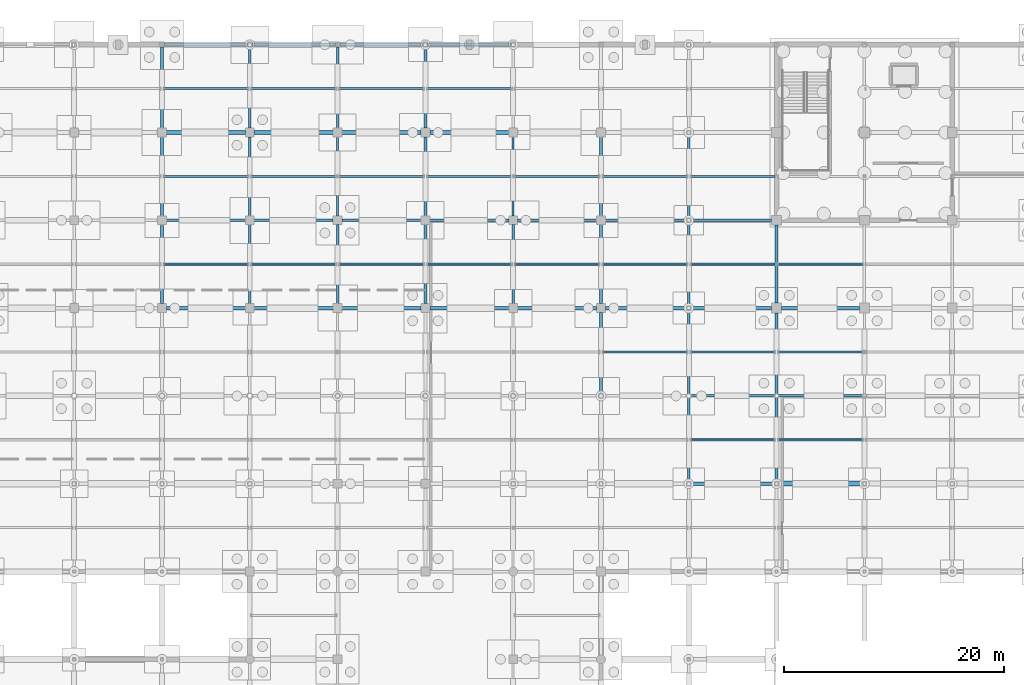
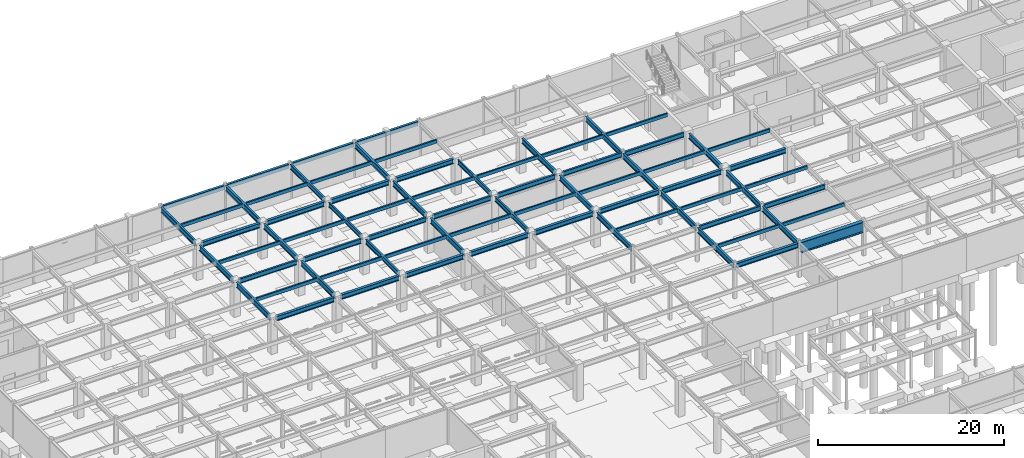
# One storey, part 50 of 105: 75 beams.
"""IFC4 building model written with IfcOpenShell, lengths in metres."""

from ifc_helpers import new_model, si_unit, direction, frame, origin, origin_2d, place, context, subcontext, project, spatial, hollow_rectangle, i_section, extrude, material, material_profile, profile_set, type_object, element, save


model = new_model("IFC4")

# Units and contexts
model_context = context("Model", 3, precision=1e-05, world=origin(), true_north=direction((0.0, 1.0)))
body_context = subcontext(model_context, "Body", "Model", "MODEL_VIEW")
ifc_project = project(units=[si_unit("LENGTHUNIT", "METRE"), si_unit("AREAUNIT", "SQUARE_METRE"), si_unit("VOLUMEUNIT", "CUBIC_METRE"), si_unit("PLANEANGLEUNIT", "RADIAN"), si_unit("MASSUNIT", "GRAM", prefix="KILO")], contexts=[model_context])

# Site, building, storey
site_placement = place(None, origin())
site = spatial("IfcSite", under=ifc_project, at=site_placement, CompositionType="ELEMENT")
building_placement = place(site_placement, origin())
building = spatial("IfcBuilding", under=site, at=building_placement, Name="Solmirada Galleria", CompositionType="ELEMENT")
storey_placement = place(building_placement, frame((0.0, 0.0, -4.800048828125)))
storey = spatial("IfcBuildingStorey", under=building, at=storey_placement, Name="B1", CompositionType="ELEMENT", Elevation=-4.800048828125)

# Beams
ifc_material_1 = material(Name="Steel S355 / ASTM A992 Grade 50", Category="steel")
ifc_material_profile_1 = material_profile(ifc_material_1, i_section(OverallWidth=0.323974609375, OverallDepth=0.611083984375, WebThickness=0.0126953125, FlangeThickness=0.01904296875, FilletRadius=0.014892578125, at=origin_2d()), Name="W24X104")
ifc_profile_set_1 = profile_set([ifc_material_profile_1], Name="Steel S355 / ASTM A992 Grade 50")
beam_type_1 = type_object("IfcBeamType", Name="BM-GIRD-W24A", PredefinedType="BEAM", material=ifc_profile_set_1)
for number, where, z_axis, x_axis, name in (
    (1, (72.39990234375, 96.0, 4.274658203125), (1.0, 0.0, 0.0), (0.0, 1.0, 0.0), "Primary beam L00 X(72..80, 96)"),
    (2, (72.39990234375, 112.0, 4.274658203125), (1.0, 0.0, 0.0), (0.0, 1.0, 0.0), "Primary beam L00 X(72..80, 112)"),
    (3, (80.39990234375, 96.0, 4.274658203125), (1.0, 0.0, 0.0), (0.0, 1.0, 0.0), "Primary beam L00 X(80..88, 96)"),
    (4, (80.39990234375, 112.0, 4.274658203125), (1.0, 0.0, 0.0), (0.0, 1.0, 0.0), "Primary beam L00 X(80..88, 112)"),
    (5, (88.39990234375, 96.0, 4.274658203125), (1.0, 0.0, 0.0), (0.0, 1.0, 0.0), "Primary beam L00 X(88..96, 96)"),
    (6, (88.39990234375, 112.0, 4.274658203125), (1.0, 0.0, 0.0), (0.0, 1.0, 0.0), "Primary beam L00 X(88..96, 112)"),
    (7, (96.39990234375, 96.0, 4.274658203125), (1.0, 0.0, 0.0), (0.0, 1.0, 0.0), "Primary beam L00 X(96..104, 96)"),
    (8, (96.39990234375, 112.0, 4.274658203125), (1.0, 0.0, 0.0), (0.0, 1.0, 0.0), "Primary beam L00 X(96..104, 112)"),
    (9, (104.39990234375, 96.0, 4.274658203125), (1.0, 0.0, 0.0), (0.0, 1.0, 0.0), "Primary beam L00 X(104..112, 96)"),
):
    element("IfcBeam", number, at=place(storey_placement, frame(where, z_axis=z_axis, x_axis=x_axis)), inside=storey, type_object=beam_type_1, Name=name, PredefinedType="BEAM", context=body_context, shape_type="SweptSolid", body=[
        extrude(i_section(OverallWidth=0.323974609375, OverallDepth=0.611083984375, WebThickness=0.0126953125, FlangeThickness=0.01904296875, FilletRadius=0.014892578125, at=origin_2d()), origin(), (0.0, 0.0, 1.0), 7.2001953125),
    ])
beam_1_placement = place(storey_placement, frame((112.39990234375, 96.0, 4.274658203125), z_axis=(1.0, 0.0, 0.0), x_axis=(0.0, 1.0, 0.0)))
element("IfcBeam", 10, at=beam_1_placement, inside=storey, type_object=beam_type_1, Name="Primary beam L00 X(112..120, 96)", PredefinedType="BEAM", context=body_context, shape_type="SweptSolid", body=[
    extrude(i_section(OverallWidth=0.323974609375, OverallDepth=0.611083984375, WebThickness=0.0126953125, FlangeThickness=0.01904296875, FilletRadius=0.014892578125, at=origin_2d()), origin(), (0.0, 0.0, 1.0), 7.422119140625),
])
beam_2_placement = place(storey_placement, frame((120.177978515625, 80.0, 4.194580078125), z_axis=(1.0, 0.0, 0.0), x_axis=(0.0, 1.0, 0.0)))
element("IfcBeam", 11, at=beam_2_placement, inside=storey, type_object=beam_type_1, Name="Primary beam L00 X(120..128, 80)", PredefinedType="BEAM", context=body_context, shape_type="SweptSolid", body=[
    extrude(i_section(OverallWidth=0.323974609375, OverallDepth=0.611083984375, WebThickness=0.0126953125, FlangeThickness=0.01904296875, FilletRadius=0.014892578125, at=origin_2d()), origin(), (0.0, 0.0, 1.0), 7.64404296875),
])
beam_3_placement = place(storey_placement, frame((120.177978515625, 96.0, 4.194580078125), z_axis=(1.0, 0.0, 0.0), x_axis=(0.0, 1.0, 0.0)))
element("IfcBeam", 12, at=beam_3_placement, inside=storey, type_object=beam_type_1, Name="Primary beam L00 X(120..128, 96)", PredefinedType="BEAM", context=body_context, shape_type="SweptSolid", body=[
    extrude(i_section(OverallWidth=0.323974609375, OverallDepth=0.611083984375, WebThickness=0.0126953125, FlangeThickness=0.01904296875, FilletRadius=0.014892578125, at=origin_2d()), origin(), (0.0, 0.0, 1.0), 7.3720703125),
])
beam_4_placement = place(storey_placement, frame((128.449951171875, 96.0, 4.194580078125), z_axis=(1.0, 0.0, 0.0), x_axis=(0.0, 1.0, 0.0)))
element("IfcBeam", 13, at=beam_4_placement, inside=storey, type_object=beam_type_1, Name="Primary beam L00 X(128..136, 96)", PredefinedType="BEAM", context=body_context, shape_type="SweptSolid", body=[
    extrude(i_section(OverallWidth=0.323974609375, OverallDepth=0.611083984375, WebThickness=0.0126953125, FlangeThickness=0.01904296875, FilletRadius=0.014892578125, at=origin_2d()), origin(), (0.0, 0.0, 1.0), 7.10009765625),
])
ifc_material_profile_2 = material_profile(ifc_material_1, i_section(OverallWidth=0.22900390625, OverallDepth=0.612060546875, WebThickness=0.011962890625, FlangeThickness=0.01953125, FilletRadius=0.014892578125, at=origin_2d()), Name="W24X84")
ifc_profile_set_2 = profile_set([ifc_material_profile_2], Name="Steel S355 / ASTM A992 Grade 50")
beam_type_2 = type_object("IfcBeamType", Name="BM-GIRD-W24B", PredefinedType="BEAM", material=ifc_profile_set_2)
for number, where, z_axis, x_axis, name in (
    (14, (72.39990234375, 104.0, 4.274169921875), (1.0, 0.0, 0.0), (0.0, 1.0, 0.0), "Primary beam L00 X(72..80, 104)"),
    (15, (80.39990234375, 104.0, 4.274169921875), (1.0, 0.0, 0.0), (0.0, 1.0, 0.0), "Primary beam L00 X(80..88, 104)"),
    (16, (88.39990234375, 104.0, 4.274169921875), (1.0, 0.0, 0.0), (0.0, 1.0, 0.0), "Primary beam L00 X(88..96, 104)"),
    (17, (96.39990234375, 104.0, 4.274169921875), (1.0, 0.0, 0.0), (0.0, 1.0, 0.0), "Primary beam L00 X(96..104, 104)"),
    (18, (104.39990234375, 104.0, 4.274169921875), (1.0, 0.0, 0.0), (0.0, 1.0, 0.0), "Primary beam L00 X(104..112, 104)"),
):
    element("IfcBeam", number, at=place(storey_placement, frame(where, z_axis=z_axis, x_axis=x_axis)), inside=storey, type_object=beam_type_2, Name=name, PredefinedType="BEAM", context=body_context, shape_type="SweptSolid", body=[
        extrude(i_section(OverallWidth=0.22900390625, OverallDepth=0.612060546875, WebThickness=0.011962890625, FlangeThickness=0.01953125, FilletRadius=0.014892578125, at=origin_2d()), origin(), (0.0, 0.0, 1.0), 7.2001953125),
    ])
beam_5_placement = place(storey_placement, frame((112.39990234375, 104.0, 4.274169921875), z_axis=(1.0, 0.0, 0.0), x_axis=(0.0, 1.0, 0.0)))
element("IfcBeam", 19, at=beam_5_placement, inside=storey, type_object=beam_type_2, Name="Primary beam L00 X(112..120, 104)", PredefinedType="BEAM", context=body_context, shape_type="SweptSolid", body=[
    extrude(i_section(OverallWidth=0.22900390625, OverallDepth=0.612060546875, WebThickness=0.011962890625, FlangeThickness=0.01953125, FilletRadius=0.014892578125, at=origin_2d()), origin(), (0.0, 0.0, 1.0), 7.422119140625),
])
beam_6_placement = place(storey_placement, frame((120.19189453125, 88.0, 4.194091796875), z_axis=(1.0, 0.0, 0.0), x_axis=(0.0, 1.0, 0.0)))
element("IfcBeam", 20, at=beam_6_placement, inside=storey, type_object=beam_type_2, Name="Primary beam L00 X(120..128, 88)", PredefinedType="BEAM", context=body_context, shape_type="SweptSolid", body=[
    extrude(i_section(OverallWidth=0.22900390625, OverallDepth=0.612060546875, WebThickness=0.011962890625, FlangeThickness=0.01953125, FilletRadius=0.014892578125, at=origin_2d()), origin(), (0.0, 0.0, 1.0), 7.6376953125),
])
beam_7_placement = place(storey_placement, frame((120.177978515625, 104.0, 4.194091796875), z_axis=(1.0, 0.0, 0.0), x_axis=(0.0, 1.0, 0.0)))
element("IfcBeam", 21, at=beam_7_placement, inside=storey, type_object=beam_type_2, Name="Primary beam L00 X(120..128, 104)", PredefinedType="BEAM", context=body_context, shape_type="SweptSolid", body=[
    extrude(i_section(OverallWidth=0.22900390625, OverallDepth=0.612060546875, WebThickness=0.011962890625, FlangeThickness=0.01953125, FilletRadius=0.014892578125, at=origin_2d()), origin(), (0.0, 0.0, 1.0), 7.3720703125),
])
beam_8_placement = place(storey_placement, frame((128.17041015625, 88.0, 4.194091796875), z_axis=(1.0, 0.0, 0.0), x_axis=(0.0, 1.0, 0.0)))
element("IfcBeam", 22, at=beam_8_placement, inside=storey, type_object=beam_type_2, Name="Primary beam L00 X(128..136, 88)", PredefinedType="BEAM", context=body_context, shape_type="SweptSolid", body=[
    extrude(i_section(OverallWidth=0.22900390625, OverallDepth=0.612060546875, WebThickness=0.011962890625, FlangeThickness=0.01953125, FilletRadius=0.014892578125, at=origin_2d()), origin(), (0.0, 0.0, 1.0), 7.6591796875),
])
ifc_material_profile_3 = material_profile(ifc_material_1, i_section(OverallWidth=0.22802734375, OverallDepth=0.60302734375, WebThickness=0.010498046875, FlangeThickness=0.014892578125, FilletRadius=0.014892578125, at=origin_2d()), Name="W24X68")
ifc_profile_set_3 = profile_set([ifc_material_profile_3], Name="Steel S355 / ASTM A992 Grade 50")
beam_type_3 = type_object("IfcBeamType", Name="BM-GIRD-W24C", PredefinedType="BEAM", material=ifc_profile_set_3)
beam_9_placement = place(storey_placement, frame((88.0, 96.39990234375, 4.278564453125), z_axis=(0.0, 1.0, 0.0), x_axis=(-1.0, 0.0, 0.0)))
element("IfcBeam", 23, at=beam_9_placement, inside=storey, type_object=beam_type_3, Name="Primary girder L00 Y(88, 96..104)", PredefinedType="BEAM", context=body_context, shape_type="SweptSolid", body=[
    extrude(i_section(OverallWidth=0.22802734375, OverallDepth=0.60302734375, WebThickness=0.010498046875, FlangeThickness=0.014892578125, FilletRadius=0.014892578125, at=origin_2d()), origin(), (0.0, 0.0, 1.0), 7.2001953125),
])
beam_10_placement = place(storey_placement, frame((88.0, 112.39990234375, 4.278564453125), z_axis=(0.0, 1.0, 0.0), x_axis=(-1.0, 0.0, 0.0)))
element("IfcBeam", 24, at=beam_10_placement, inside=storey, type_object=beam_type_3, Name="Primary girder L00 Y(88, 112..120)", PredefinedType="BEAM", context=body_context, shape_type="SweptSolid", body=[
    extrude(i_section(OverallWidth=0.22802734375, OverallDepth=0.60302734375, WebThickness=0.010498046875, FlangeThickness=0.014892578125, FilletRadius=0.014892578125, at=origin_2d()), origin(), (0.0, 0.0, 1.0), 7.397216796875),
])
beam_11_placement = place(storey_placement, frame((104.0, 96.39990234375, 4.278564453125), z_axis=(0.0, 1.0, 0.0), x_axis=(-1.0, 0.0, 0.0)))
element("IfcBeam", 25, at=beam_11_placement, inside=storey, type_object=beam_type_3, Name="Primary girder L00 Y(104, 96..104)", PredefinedType="BEAM", context=body_context, shape_type="SweptSolid", body=[
    extrude(i_section(OverallWidth=0.22802734375, OverallDepth=0.60302734375, WebThickness=0.010498046875, FlangeThickness=0.014892578125, FilletRadius=0.014892578125, at=origin_2d()), origin(), (0.0, 0.0, 1.0), 7.2001953125),
])
ifc_material_profile_4 = material_profile(ifc_material_1, i_section(OverallWidth=0.177978515625, OverallDepth=0.59912109375, WebThickness=0.010009765625, FlangeThickness=0.0126953125, FilletRadius=0.013916015625, at=origin_2d()), Name="W24X55")
ifc_profile_set_4 = profile_set([ifc_material_profile_4], Name="Steel S355 / ASTM A992 Grade 50")
beam_type_4 = type_object("IfcBeamType", Name="BM-GIRD-W24D", PredefinedType="BEAM", material=ifc_profile_set_4)
for number, where, z_axis, x_axis, name in (
    (26, (88.0, 104.39990234375, 4.280517578125), (0.0, 1.0, 0.0), (-1.0, 0.0, 0.0), "Primary girder L00 Y(88, 104..112)"),
    (27, (104.0, 104.39990234375, 4.280517578125), (0.0, 1.0, 0.0), (-1.0, 0.0, 0.0), "Primary girder L00 Y(104, 104..112)"),
):
    element("IfcBeam", number, at=place(storey_placement, frame(where, z_axis=z_axis, x_axis=x_axis)), inside=storey, type_object=beam_type_4, Name=name, PredefinedType="BEAM", context=body_context, shape_type="SweptSolid", body=[
        extrude(i_section(OverallWidth=0.177978515625, OverallDepth=0.59912109375, WebThickness=0.010009765625, FlangeThickness=0.0126953125, FilletRadius=0.013916015625, at=origin_2d()), origin(), (0.0, 0.0, 1.0), 7.2001953125),
    ])
ifc_material_profile_5 = material_profile(ifc_material_1, i_section(OverallWidth=0.256103515625, OverallDepth=0.693115234375, WebThickness=0.014404296875, FlangeThickness=0.023681640625, FilletRadius=0.01806640625, at=origin_2d()), Name="W27X114")
ifc_profile_set_5 = profile_set([ifc_material_profile_5], Name="Steel S355 / ASTM A992 Grade 50")
beam_type_5 = type_object("IfcBeamType", Name="BM-GIRD-W27A", PredefinedType="BEAM", material=ifc_profile_set_5)
for number, where, z_axis, x_axis, name in (
    (28, (72.0, 96.39990234375, 4.233642578125), (0.0, 1.0, 0.0), (-1.0, 0.0, 0.0), "Primary girder L00 Y(72, 96..104)"),
    (29, (72.0, 104.39990234375, 4.233642578125), (0.0, 1.0, 0.0), (-1.0, 0.0, 0.0), "Primary girder L00 Y(72, 104..112)"),
):
    element("IfcBeam", number, at=place(storey_placement, frame(where, z_axis=z_axis, x_axis=x_axis)), inside=storey, type_object=beam_type_5, Name=name, PredefinedType="BEAM", context=body_context, shape_type="SweptSolid", body=[
        extrude(i_section(OverallWidth=0.256103515625, OverallDepth=0.693115234375, WebThickness=0.014404296875, FlangeThickness=0.023681640625, FilletRadius=0.01806640625, at=origin_2d()), origin(), (0.0, 0.0, 1.0), 7.2001953125),
    ])
beam_12_placement = place(storey_placement, frame((72.0, 112.39990234375, 4.233642578125), z_axis=(0.0, 1.0, 0.0), x_axis=(-1.0, 0.0, 0.0)))
element("IfcBeam", 30, at=beam_12_placement, inside=storey, type_object=beam_type_5, Name="Primary girder L00 Y(72, 112..120)", PredefinedType="BEAM", context=body_context, shape_type="SweptSolid", body=[
    extrude(i_section(OverallWidth=0.256103515625, OverallDepth=0.693115234375, WebThickness=0.014404296875, FlangeThickness=0.023681640625, FilletRadius=0.01806640625, at=origin_2d()), origin(), (0.0, 0.0, 1.0), 7.397216796875),
])
for number, where, z_axis, x_axis, name in (
    (31, (96.0, 96.39990234375, 4.233642578125), (0.0, 1.0, 0.0), (-1.0, 0.0, 0.0), "Primary girder L00 Y(96, 96..104)"),
    (32, (96.0, 104.39990234375, 4.233642578125), (0.0, 1.0, 0.0), (-1.0, 0.0, 0.0), "Primary girder L00 Y(96, 104..112)"),
):
    element("IfcBeam", number, at=place(storey_placement, frame(where, z_axis=z_axis, x_axis=x_axis)), inside=storey, type_object=beam_type_5, Name=name, PredefinedType="BEAM", context=body_context, shape_type="SweptSolid", body=[
        extrude(i_section(OverallWidth=0.256103515625, OverallDepth=0.693115234375, WebThickness=0.014404296875, FlangeThickness=0.023681640625, FilletRadius=0.01806640625, at=origin_2d()), origin(), (0.0, 0.0, 1.0), 7.2001953125),
    ])
beam_13_placement = place(storey_placement, frame((96.0, 112.39990234375, 4.233642578125), z_axis=(0.0, 1.0, 0.0), x_axis=(-1.0, 0.0, 0.0)))
element("IfcBeam", 33, at=beam_13_placement, inside=storey, type_object=beam_type_5, Name="Primary girder L00 Y(96, 112..120)", PredefinedType="BEAM", context=body_context, shape_type="SweptSolid", body=[
    extrude(i_section(OverallWidth=0.256103515625, OverallDepth=0.693115234375, WebThickness=0.014404296875, FlangeThickness=0.023681640625, FilletRadius=0.01806640625, at=origin_2d()), origin(), (0.0, 0.0, 1.0), 7.397216796875),
])
for number, where, z_axis, x_axis, name in (
    (34, (120.0, 80.177978515625, 4.153564453125), (0.0, 1.0, 0.0), (-1.0, 0.0, 0.0), "Primary girder L00 Y(120, 80..88)"),
    (35, (120.0, 88.19189453125, 4.153564453125), (0.0, 1.0, 0.0), (-1.0, 0.0, 0.0), "Primary girder L00 Y(120, 88..96)"),
):
    element("IfcBeam", number, at=place(storey_placement, frame(where, z_axis=z_axis, x_axis=x_axis)), inside=storey, type_object=beam_type_5, Name=name, PredefinedType="BEAM", context=body_context, shape_type="SweptSolid", body=[
        extrude(i_section(OverallWidth=0.256103515625, OverallDepth=0.693115234375, WebThickness=0.014404296875, FlangeThickness=0.023681640625, FilletRadius=0.01806640625, at=origin_2d()), origin(), (0.0, 0.0, 1.0), 7.630126953125),
    ])
for number, where, z_axis, x_axis, name in (
    (36, (120.0, 96.177978515625, 4.153564453125), (0.0, 1.0, 0.0), (-1.0, 0.0, 0.0), "Primary girder L00 Y(120, 96..104)"),
    (37, (120.0, 104.177978515625, 4.153564453125), (0.0, 1.0, 0.0), (-1.0, 0.0, 0.0), "Primary girder L00 Y(120, 104..112)"),
):
    element("IfcBeam", number, at=place(storey_placement, frame(where, z_axis=z_axis, x_axis=x_axis)), inside=storey, type_object=beam_type_5, Name=name, PredefinedType="BEAM", context=body_context, shape_type="SweptSolid", body=[
        extrude(i_section(OverallWidth=0.256103515625, OverallDepth=0.693115234375, WebThickness=0.014404296875, FlangeThickness=0.023681640625, FilletRadius=0.01806640625, at=origin_2d()), origin(), (0.0, 0.0, 1.0), 7.64404296875),
    ])
ifc_material_profile_6 = material_profile(ifc_material_1, i_section(OverallWidth=0.25390625, OverallDepth=0.68408203125, WebThickness=0.012451171875, FlangeThickness=0.018798828125, FilletRadius=0.01708984375, at=origin_2d()), Name="W27X94")
ifc_profile_set_6 = profile_set([ifc_material_profile_6], Name="Steel S355 / ASTM A992 Grade 50")
beam_type_6 = type_object("IfcBeamType", Name="BM-GIRD-W27B", PredefinedType="BEAM", material=ifc_profile_set_6)
for number, where, z_axis, x_axis, name in (
    (38, (80.0, 96.39990234375, 4.238037109375), (0.0, 1.0, 0.0), (-1.0, 0.0, 0.0), "Primary girder L00 Y(80, 96..104)"),
    (39, (80.0, 104.39990234375, 4.238037109375), (0.0, 1.0, 0.0), (-1.0, 0.0, 0.0), "Primary girder L00 Y(80, 104..112)"),
):
    element("IfcBeam", number, at=place(storey_placement, frame(where, z_axis=z_axis, x_axis=x_axis)), inside=storey, type_object=beam_type_6, Name=name, PredefinedType="BEAM", context=body_context, shape_type="SweptSolid", body=[
        extrude(i_section(OverallWidth=0.25390625, OverallDepth=0.68408203125, WebThickness=0.012451171875, FlangeThickness=0.018798828125, FilletRadius=0.01708984375, at=origin_2d()), origin(), (0.0, 0.0, 1.0), 7.2001953125),
    ])
beam_14_placement = place(storey_placement, frame((80.0, 112.39990234375, 4.238037109375), z_axis=(0.0, 1.0, 0.0), x_axis=(-1.0, 0.0, 0.0)))
element("IfcBeam", 40, at=beam_14_placement, inside=storey, type_object=beam_type_6, Name="Primary girder L00 Y(80, 112..120)", PredefinedType="BEAM", context=body_context, shape_type="SweptSolid", body=[
    extrude(i_section(OverallWidth=0.25390625, OverallDepth=0.68408203125, WebThickness=0.012451171875, FlangeThickness=0.018798828125, FilletRadius=0.01708984375, at=origin_2d()), origin(), (0.0, 0.0, 1.0), 7.397216796875),
])
beam_15_placement = place(storey_placement, frame((112.0, 88.19189453125, 4.238037109375), z_axis=(0.0, 1.0, 0.0), x_axis=(-1.0, 0.0, 0.0)))
element("IfcBeam", 41, at=beam_15_placement, inside=storey, type_object=beam_type_6, Name="Primary girder L00 Y(112, 88..96)", PredefinedType="BEAM", context=body_context, shape_type="SweptSolid", body=[
    extrude(i_section(OverallWidth=0.25390625, OverallDepth=0.68408203125, WebThickness=0.012451171875, FlangeThickness=0.018798828125, FilletRadius=0.01708984375, at=origin_2d()), origin(), (0.0, 0.0, 1.0), 7.408203125),
])
for number, where, z_axis, x_axis, name in (
    (42, (112.0, 96.39990234375, 4.238037109375), (0.0, 1.0, 0.0), (-1.0, 0.0, 0.0), "Primary girder L00 Y(112, 96..104)"),
    (43, (112.0, 104.39990234375, 4.238037109375), (0.0, 1.0, 0.0), (-1.0, 0.0, 0.0), "Primary girder L00 Y(112, 104..112)"),
):
    element("IfcBeam", number, at=place(storey_placement, frame(where, z_axis=z_axis, x_axis=x_axis)), inside=storey, type_object=beam_type_6, Name=name, PredefinedType="BEAM", context=body_context, shape_type="SweptSolid", body=[
        extrude(i_section(OverallWidth=0.25390625, OverallDepth=0.68408203125, WebThickness=0.012451171875, FlangeThickness=0.018798828125, FilletRadius=0.01708984375, at=origin_2d()), origin(), (0.0, 0.0, 1.0), 7.2001953125),
    ])
beam_16_placement = place(storey_placement, frame((128.0, 80.177978515625, 4.157958984375), z_axis=(0.0, 1.0, 0.0), x_axis=(-1.0, 0.0, 0.0)))
element("IfcBeam", 44, at=beam_16_placement, inside=storey, type_object=beam_type_6, Name="Primary girder L00 Y(128, 80..88)", PredefinedType="BEAM", context=body_context, shape_type="SweptSolid", body=[
    extrude(i_section(OverallWidth=0.25390625, OverallDepth=0.68408203125, WebThickness=0.012451171875, FlangeThickness=0.018798828125, FilletRadius=0.01708984375, at=origin_2d()), origin(), (0.0, 0.0, 1.0), 7.651611328125),
])
beam_17_placement = place(storey_placement, frame((128.0, 88.17041015625, 4.157958984375), z_axis=(0.0, 1.0, 0.0), x_axis=(-1.0, 0.0, 0.0)))
element("IfcBeam", 45, at=beam_17_placement, inside=storey, type_object=beam_type_6, Name="Primary girder L00 Y(128, 88..96)", PredefinedType="BEAM", context=body_context, shape_type="SweptSolid", body=[
    extrude(i_section(OverallWidth=0.25390625, OverallDepth=0.68408203125, WebThickness=0.012451171875, FlangeThickness=0.018798828125, FilletRadius=0.01708984375, at=origin_2d()), origin(), (0.0, 0.0, 1.0), 7.379638671875),
])
beam_18_placement = place(storey_placement, frame((128.0, 96.449951171875, 4.157958984375), z_axis=(0.0, 1.0, 0.0), x_axis=(-1.0, 0.0, 0.0)))
element("IfcBeam", 46, at=beam_18_placement, inside=storey, type_object=beam_type_6, Name="Primary girder L00 Y(128, 96..104)", PredefinedType="BEAM", context=body_context, shape_type="SweptSolid", body=[
    extrude(i_section(OverallWidth=0.25390625, OverallDepth=0.68408203125, WebThickness=0.012451171875, FlangeThickness=0.018798828125, FilletRadius=0.01708984375, at=origin_2d()), origin(), (0.0, 0.0, 1.0), 7.10009765625),
])
ifc_material_2 = material(Name="Steel S355 / ASTM A500 Grade C", Category="steel")
ifc_material_profile_7 = material_profile(ifc_material_2, hollow_rectangle(XDim=0.202880859375, YDim=0.45703125, WallThickness=0.01171875, InnerFilletRadius=0.01171875, OuterFilletRadius=0.023681640625, at=origin_2d()), Name="HSS18X8X1/2")
ifc_profile_set_7 = profile_set([ifc_material_profile_7], Name="Steel S355 / ASTM A500 Grade C")
beam_type_7 = type_object("IfcBeamType", Name="BM-JST-W16A", PredefinedType="JOIST", material=ifc_profile_set_7)
for number, where, z_axis, x_axis, name in (
    (47, (72.1279296875, 100.0, 4.3515625), (1.0, 0.0, 0.0), (0.0, 1.0, 0.0), "Composite floor joist L00 (72..80, 100.0)"),
    (48, (72.1279296875, 108.0, 4.3515625), (1.0, 0.0, 0.0), (0.0, 1.0, 0.0), "Composite floor joist L00 (72..80, 108.0)"),
    (49, (72.1279296875, 116.0, 4.3515625), (1.0, 0.0, 0.0), (0.0, 1.0, 0.0), "Composite floor joist L00 (72..80, 116.0)"),
):
    element("IfcBeam", number, at=place(storey_placement, frame(where, z_axis=z_axis, x_axis=x_axis)), inside=storey, type_object=beam_type_7, Name=name, PredefinedType="JOIST", context=body_context, shape_type="SweptSolid", body=[
        extrude(hollow_rectangle(XDim=0.202880859375, YDim=0.45703125, WallThickness=0.01171875, InnerFilletRadius=0.01171875, OuterFilletRadius=0.023681640625, at=origin_2d()), origin(), (0.0, 0.0, 1.0), 7.7451171875),
    ])
beam_19_placement = place(storey_placement, frame((80.126953125, 100.0, 4.3515625), z_axis=(1.0, 0.0, 0.0), x_axis=(0.0, 1.0, 0.0)))
element("IfcBeam", 50, at=beam_19_placement, inside=storey, type_object=beam_type_7, Name="Composite floor joist L00 (80..88, 100.0)", PredefinedType="JOIST", context=body_context, shape_type="SweptSolid", body=[
    extrude(hollow_rectangle(XDim=0.202880859375, YDim=0.45703125, WallThickness=0.01171875, InnerFilletRadius=0.01171875, OuterFilletRadius=0.023681640625, at=origin_2d()), origin(), (0.0, 0.0, 1.0), 7.759033203125),
])
beam_20_placement = place(storey_placement, frame((80.126953125, 108.0, 4.3515625), z_axis=(1.0, 0.0, 0.0), x_axis=(0.0, 1.0, 0.0)))
element("IfcBeam", 51, at=beam_20_placement, inside=storey, type_object=beam_type_7, Name="Composite floor joist L00 (80..88, 108.0)", PredefinedType="JOIST", context=body_context, shape_type="SweptSolid", body=[
    extrude(hollow_rectangle(XDim=0.202880859375, YDim=0.45703125, WallThickness=0.01171875, InnerFilletRadius=0.01171875, OuterFilletRadius=0.023681640625, at=origin_2d()), origin(), (0.0, 0.0, 1.0), 7.783935546875),
])
beam_21_placement = place(storey_placement, frame((80.126953125, 116.0, 4.3515625), z_axis=(1.0, 0.0, 0.0), x_axis=(0.0, 1.0, 0.0)))
element("IfcBeam", 52, at=beam_21_placement, inside=storey, type_object=beam_type_7, Name="Composite floor joist L00 (80..88, 116.0)", PredefinedType="JOIST", context=body_context, shape_type="SweptSolid", body=[
    extrude(hollow_rectangle(XDim=0.202880859375, YDim=0.45703125, WallThickness=0.01171875, InnerFilletRadius=0.01171875, OuterFilletRadius=0.023681640625, at=origin_2d()), origin(), (0.0, 0.0, 1.0), 7.759033203125),
])
beam_22_placement = place(storey_placement, frame((88.114013671875, 100.0, 4.3515625), z_axis=(1.0, 0.0, 0.0), x_axis=(0.0, 1.0, 0.0)))
element("IfcBeam", 53, at=beam_22_placement, inside=storey, type_object=beam_type_7, Name="Composite floor joist L00 (88..96, 100.0)", PredefinedType="JOIST", context=body_context, shape_type="SweptSolid", body=[
    extrude(hollow_rectangle(XDim=0.202880859375, YDim=0.45703125, WallThickness=0.01171875, InnerFilletRadius=0.01171875, OuterFilletRadius=0.023681640625, at=origin_2d()), origin(), (0.0, 0.0, 1.0), 7.758056640625),
])
beam_23_placement = place(storey_placement, frame((88.089111328125, 108.0, 4.3515625), z_axis=(1.0, 0.0, 0.0), x_axis=(0.0, 1.0, 0.0)))
element("IfcBeam", 54, at=beam_23_placement, inside=storey, type_object=beam_type_7, Name="Composite floor joist L00 (88..96, 108.0)", PredefinedType="JOIST", context=body_context, shape_type="SweptSolid", body=[
    extrude(hollow_rectangle(XDim=0.202880859375, YDim=0.45703125, WallThickness=0.01171875, InnerFilletRadius=0.01171875, OuterFilletRadius=0.023681640625, at=origin_2d()), origin(), (0.0, 0.0, 1.0), 7.782958984375),
])
for number, where, z_axis, x_axis, name in (
    (55, (88.114013671875, 116.0, 4.3515625), (1.0, 0.0, 0.0), (0.0, 1.0, 0.0), "Composite floor joist L00 (88..96, 116.0)"),
    (56, (96.1279296875, 100.0, 4.3515625), (1.0, 0.0, 0.0), (0.0, 1.0, 0.0), "Composite floor joist L00 (96..104, 100.0)"),
):
    element("IfcBeam", number, at=place(storey_placement, frame(where, z_axis=z_axis, x_axis=x_axis)), inside=storey, type_object=beam_type_7, Name=name, PredefinedType="JOIST", context=body_context, shape_type="SweptSolid", body=[
        extrude(hollow_rectangle(XDim=0.202880859375, YDim=0.45703125, WallThickness=0.01171875, InnerFilletRadius=0.01171875, OuterFilletRadius=0.023681640625, at=origin_2d()), origin(), (0.0, 0.0, 1.0), 7.758056640625),
    ])
beam_24_placement = place(storey_placement, frame((96.1279296875, 108.0, 4.3515625), z_axis=(1.0, 0.0, 0.0), x_axis=(0.0, 1.0, 0.0)))
element("IfcBeam", 57, at=beam_24_placement, inside=storey, type_object=beam_type_7, Name="Composite floor joist L00 (96..104, 108.0)", PredefinedType="JOIST", context=body_context, shape_type="SweptSolid", body=[
    extrude(hollow_rectangle(XDim=0.202880859375, YDim=0.45703125, WallThickness=0.01171875, InnerFilletRadius=0.01171875, OuterFilletRadius=0.023681640625, at=origin_2d()), origin(), (0.0, 0.0, 1.0), 7.782958984375),
])
beam_25_placement = place(storey_placement, frame((96.1279296875, 116.0, 4.3515625), z_axis=(1.0, 0.0, 0.0), x_axis=(0.0, 1.0, 0.0)))
element("IfcBeam", 58, at=beam_25_placement, inside=storey, type_object=beam_type_7, Name="Composite floor joist L00 (96..104, 116.0)", PredefinedType="JOIST", context=body_context, shape_type="SweptSolid", body=[
    extrude(hollow_rectangle(XDim=0.202880859375, YDim=0.45703125, WallThickness=0.01171875, InnerFilletRadius=0.01171875, OuterFilletRadius=0.023681640625, at=origin_2d()), origin(), (0.0, 0.0, 1.0), 7.758056640625),
])
beam_26_placement = place(storey_placement, frame((104.114013671875, 100.0, 4.3515625), z_axis=(1.0, 0.0, 0.0), x_axis=(0.0, 1.0, 0.0)))
element("IfcBeam", 59, at=beam_26_placement, inside=storey, type_object=beam_type_7, Name="Composite floor joist L00 (104..112, 100.0)", PredefinedType="JOIST", context=body_context, shape_type="SweptSolid", body=[
    extrude(hollow_rectangle(XDim=0.202880859375, YDim=0.45703125, WallThickness=0.01171875, InnerFilletRadius=0.01171875, OuterFilletRadius=0.023681640625, at=origin_2d()), origin(), (0.0, 0.0, 1.0), 7.759033203125),
])
beam_27_placement = place(storey_placement, frame((104.089111328125, 108.0, 4.3515625), z_axis=(1.0, 0.0, 0.0), x_axis=(0.0, 1.0, 0.0)))
element("IfcBeam", 60, at=beam_27_placement, inside=storey, type_object=beam_type_7, Name="Composite floor joist L00 (104..112, 108.0)", PredefinedType="JOIST", context=body_context, shape_type="SweptSolid", body=[
    extrude(hollow_rectangle(XDim=0.202880859375, YDim=0.45703125, WallThickness=0.01171875, InnerFilletRadius=0.01171875, OuterFilletRadius=0.023681640625, at=origin_2d()), origin(), (0.0, 0.0, 1.0), 7.783935546875),
])
for number, where, z_axis, x_axis, name in (
    (61, (112.126953125, 92.0, 4.271484375), (1.0, 0.0, 0.0), (0.0, 1.0, 0.0), "Composite floor joist L00 (112..120, 92.0)"),
    (62, (112.126953125, 100.0, 4.271484375), (1.0, 0.0, 0.0), (0.0, 1.0, 0.0), "Composite floor joist L00 (112..120, 100.0)"),
    (63, (112.126953125, 108.0, 4.271484375), (1.0, 0.0, 0.0), (0.0, 1.0, 0.0), "Composite floor joist L00 (112..120, 108.0)"),
    (64, (120.1279296875, 84.0, 4.271484375), (1.0, 0.0, 0.0), (0.0, 1.0, 0.0), "Composite floor joist L00 (120..128, 84.0)"),
    (65, (120.1279296875, 92.0, 4.271484375), (1.0, 0.0, 0.0), (0.0, 1.0, 0.0), "Composite floor joist L00 (120..128, 92.0)"),
    (66, (120.1279296875, 100.0, 4.271484375), (1.0, 0.0, 0.0), (0.0, 1.0, 0.0), "Composite floor joist L00 (120..128, 100.0)"),
    (67, (120.1279296875, 108.0, 4.271484375), (1.0, 0.0, 0.0), (0.0, 1.0, 0.0), "Composite floor joist L00 (120..128, 108.0)"),
):
    element("IfcBeam", number, at=place(storey_placement, frame(where, z_axis=z_axis, x_axis=x_axis)), inside=storey, type_object=beam_type_7, Name=name, PredefinedType="JOIST", context=body_context, shape_type="SweptSolid", body=[
        extrude(hollow_rectangle(XDim=0.202880859375, YDim=0.45703125, WallThickness=0.01171875, InnerFilletRadius=0.01171875, OuterFilletRadius=0.023681640625, at=origin_2d()), origin(), (0.0, 0.0, 1.0), 7.7451171875),
    ])
beam_28_placement = place(storey_placement, frame((128.126953125, 84.0, 4.271484375), z_axis=(1.0, 0.0, 0.0), x_axis=(0.0, 1.0, 0.0)))
element("IfcBeam", 68, at=beam_28_placement, inside=storey, type_object=beam_type_7, Name="Composite floor joist L00 (128..136, 84.0)", PredefinedType="JOIST", context=body_context, shape_type="SweptSolid", body=[
    extrude(hollow_rectangle(XDim=0.202880859375, YDim=0.45703125, WallThickness=0.01171875, InnerFilletRadius=0.01171875, OuterFilletRadius=0.023681640625, at=origin_2d()), origin(), (0.0, 0.0, 1.0), 7.759033203125),
])
beam_29_placement = place(storey_placement, frame((128.126953125, 92.0, 4.271484375), z_axis=(1.0, 0.0, 0.0), x_axis=(0.0, 1.0, 0.0)))
element("IfcBeam", 69, at=beam_29_placement, inside=storey, type_object=beam_type_7, Name="Composite floor joist L00 (128..136, 92.0)", PredefinedType="JOIST", context=body_context, shape_type="SweptSolid", body=[
    extrude(hollow_rectangle(XDim=0.202880859375, YDim=0.45703125, WallThickness=0.01171875, InnerFilletRadius=0.01171875, OuterFilletRadius=0.023681640625, at=origin_2d()), origin(), (0.0, 0.0, 1.0), 7.783935546875),
])
beam_30_placement = place(storey_placement, frame((128.126953125, 100.0, 4.271484375), z_axis=(1.0, 0.0, 0.0), x_axis=(0.0, 1.0, 0.0)))
element("IfcBeam", 70, at=beam_30_placement, inside=storey, type_object=beam_type_7, Name="Composite floor joist L00 (128..136, 100.0)", PredefinedType="JOIST", context=body_context, shape_type="SweptSolid", body=[
    extrude(hollow_rectangle(XDim=0.202880859375, YDim=0.45703125, WallThickness=0.01171875, InnerFilletRadius=0.01171875, OuterFilletRadius=0.023681640625, at=origin_2d()), origin(), (0.0, 0.0, 1.0), 7.759033203125),
])
ifc_material_3 = material(Name="Steel S355 / ASTM A572 Grade 50", Category="steel")
ifc_material_profile_8 = material_profile(ifc_material_3, i_section(OverallWidth=0.449951171875, OverallDepth=1.39990234375, WebThickness=0.02392578125, FlangeThickness=0.044921875, FilletRadius=0.01806640625, at=origin_2d()), Name="PG1400X450")
ifc_profile_set_8 = profile_set([ifc_material_profile_8], Name="Steel S355 / ASTM A572 Grade 50")
beam_type_8 = type_object("IfcBeamType", Name="BM-PG1400", PredefinedType="USERDEFINED", material=ifc_profile_set_8)
beam_31_placement = place(storey_placement, frame((128.177978515625, 80.0, 3.800048828125), z_axis=(1.0, 0.0, 0.0), x_axis=(0.0, 1.0, 0.0)))
element("IfcBeam", 71, at=beam_31_placement, inside=storey, type_object=beam_type_8, Name="Loading dock transfer girder L00 X(128..136, 80)", ObjectType="TRANSFER_GIRDER", PredefinedType="USERDEFINED", context=body_context, shape_type="SweptSolid", body=[
    extrude(i_section(OverallWidth=0.449951171875, OverallDepth=1.39990234375, WebThickness=0.02392578125, FlangeThickness=0.044921875, FilletRadius=0.01806640625, at=origin_2d()), origin(), (0.0, 0.0, 1.0), 7.64404296875),
])
ifc_material_profile_9 = material_profile(ifc_material_2, hollow_rectangle(XDim=0.304931640625, YDim=0.55908203125, WallThickness=0.01171875, InnerFilletRadius=0.01171875, OuterFilletRadius=0.023681640625, at=origin_2d()), Name="HSS22X12X1/2")
ifc_profile_set_9 = profile_set([ifc_material_profile_9], Name="Steel S355 / ASTM A500 Grade C")
beam_type_9 = type_object("IfcBeamType", Name="BM-SPAND-W21", PredefinedType="SPANDREL", material=ifc_profile_set_9)
for number, where, z_axis, x_axis, name in (
    (72, (72.202880859375, 120.0, 4.300537109375), (1.0, 0.0, 0.0), (0.0, 1.0, 0.0), "Primary beam L00 X(72..80, 120)"),
    (73, (80.202880859375, 120.0, 4.300537109375), (1.0, 0.0, 0.0), (0.0, 1.0, 0.0), "Primary beam L00 X(80..88, 120)"),
    (74, (88.202880859375, 120.0, 4.300537109375), (1.0, 0.0, 0.0), (0.0, 1.0, 0.0), "Primary beam L00 X(88..96, 120)"),
    (75, (96.202880859375, 120.0, 4.300537109375), (1.0, 0.0, 0.0), (0.0, 1.0, 0.0), "Primary beam L00 X(96..104, 120)"),
):
    element("IfcBeam", number, at=place(storey_placement, frame(where, z_axis=z_axis, x_axis=x_axis)), inside=storey, type_object=beam_type_9, Name=name, PredefinedType="SPANDREL", context=body_context, shape_type="SweptSolid", body=[
        extrude(hollow_rectangle(XDim=0.304931640625, YDim=0.55908203125, WallThickness=0.01171875, InnerFilletRadius=0.01171875, OuterFilletRadius=0.023681640625, at=origin_2d()), origin(), (0.0, 0.0, 1.0), 7.59423828125),
    ])

save(model, "model.ifc")
